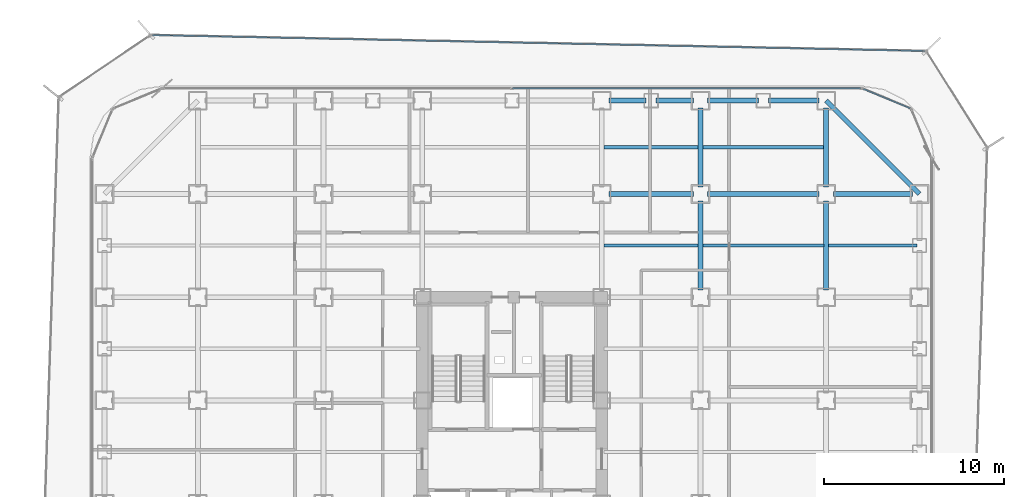
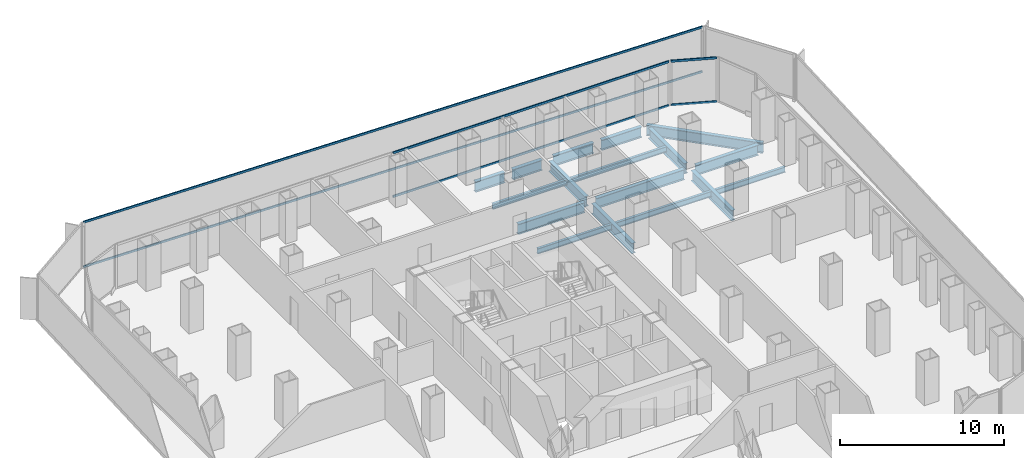
# One storey, part 14 of 21: 17 beams, 6 members, 3 elements without a shape of their own.
"""IFC4 building model written with IfcOpenShell, lengths in metres."""

from ifc_helpers import new_model, si_unit, direction, frame, origin, origin_2d, place, context, subcontext, project, spatial, hollow_rectangle, i_section, extrude, source, transform, mapped, material, layer, layer_set, material_profile, profile_set, type_object, element, aggregate, save


model = new_model("IFC4")

# Units and contexts
model_context = context("Model", 3, precision=1e-05, world=origin(), true_north=direction((0.0, 1.0)))
body_context = subcontext(model_context, "Body", "Model", "MODEL_VIEW")
ifc_project = project(units=[si_unit("LENGTHUNIT", "METRE"), si_unit("AREAUNIT", "SQUARE_METRE"), si_unit("VOLUMEUNIT", "CUBIC_METRE"), si_unit("PLANEANGLEUNIT", "RADIAN"), si_unit("MASSUNIT", "GRAM", prefix="KILO")], contexts=[model_context])

# Site, building, storey
site_placement = place(None, origin())
site = spatial("IfcSite", under=ifc_project, at=site_placement, CompositionType="ELEMENT")
building_placement = place(site_placement, origin())
building = spatial("IfcBuilding", under=site, at=building_placement, Name="Kolveth Station Tower", CompositionType="ELEMENT")
storey_placement = place(building_placement, frame((0.0, 0.0, 29.699951171875)))
storey = spatial("IfcBuildingStorey", under=building, at=storey_placement, Name="L07", CompositionType="ELEMENT", Elevation=29.699951171875)

# Beams
ifc_material_1 = material(Name="Steel S355", Category="steel")
ifc_material_profile_1 = material_profile(ifc_material_1, i_section(OverallWidth=0.26904296875, OverallDepth=0.77490234375, WebThickness=0.01708984375, FlangeThickness=0.0283203125, at=origin_2d()), Name="W760x220")
ifc_profile_set_1 = profile_set([ifc_material_profile_1], Name="Steel S355")
beam_type_1 = type_object("IfcBeamType", Name="Beam_SP1", PredefinedType="SPANDREL", material=ifc_profile_set_1)
shared_shape_1 = source(origin(), body_context, "Body", "SweptSolid", [
    extrude(i_section(OverallWidth=0.26904296875, OverallDepth=0.77490234375, WebThickness=0.01708984375, FlangeThickness=0.0283203125, at=origin_2d()), origin(), (0.0, 0.0, 1.0), 7.353759765625),
])
beam_1_placement = place(storey_placement, frame((46.199951171875, 34.5, -0.66748046875), z_axis=(-0.707106781187, 0.707106781187, 0.0), x_axis=(-0.707106781187, -0.707106781187, 0.0)))
element("IfcBeam", 1, at=beam_1_placement, inside=storey, type_object=beam_type_1, Name="L07 Corner Edge Girder BM-L07-CNR-NE", PredefinedType="SPANDREL", context=body_context, shape_type="MappedRepresentation", body=[
    mapped(shared_shape_1, transform((0.0, 0.0, 0.0), x_axis=(1.0, 0.0, 0.0), y_axis=(0.0, 1.0, 0.0), z_axis=(0.0, 0.0, 1.0), scale=1.0)),
])
shared_shape_2 = source(origin(), body_context, "Body", "SweptSolid", [
    extrude(i_section(OverallWidth=0.26904296875, OverallDepth=0.77490234375, WebThickness=0.01708984375, FlangeThickness=0.0283203125, at=origin_2d()), origin(), (0.0, 0.0, 1.0), 2.820068359375),
])
for number, where, z_axis, x_axis, name in (
    (2, (34.39990234375, 39.699951171875, -0.66748046875), (1.0, 0.0, 0.0), (0.0, 1.0, 0.0), "L07 Perimeter Spandrel BM-L07-PN-9"),
    (3, (37.780029296875, 39.699951171875, -0.66748046875), (1.0, 0.0, 0.0), (0.0, 1.0, 0.0), "L07 Perimeter Spandrel BM-L07-PN-10"),
):
    element("IfcBeam", number, at=place(storey_placement, frame(where, z_axis=z_axis, x_axis=x_axis)), inside=storey, type_object=beam_type_1, Name=name, PredefinedType="SPANDREL", context=body_context, shape_type="MappedRepresentation", body=[
        mapped(shared_shape_2, transform((0.0, 0.0, 0.0), x_axis=(1.0, 0.0, 0.0), y_axis=(0.0, 1.0, 0.0), z_axis=(0.0, 0.0, 1.0), scale=1.0)),
    ])
shared_shape_3 = source(origin(), body_context, "Body", "SweptSolid", [
    extrude(i_section(OverallWidth=0.26904296875, OverallDepth=0.77490234375, WebThickness=0.01708984375, FlangeThickness=0.0283203125, at=origin_2d()), origin(), (0.0, 0.0, 1.0), 2.070068359375),
])
for number, where, z_axis, x_axis, name in (
    (4, (28.89990234375, 39.699951171875, -0.66748046875), (1.0, 0.0, 0.0), (0.0, 1.0, 0.0), "L07 Perimeter Spandrel BM-L07-PN-7"),
    (5, (31.530029296875, 39.699951171875, -0.66748046875), (1.0, 0.0, 0.0), (0.0, 1.0, 0.0), "L07 Perimeter Spandrel BM-L07-PN-8"),
):
    element("IfcBeam", number, at=place(storey_placement, frame(where, z_axis=z_axis, x_axis=x_axis)), inside=storey, type_object=beam_type_1, Name=name, PredefinedType="SPANDREL", context=body_context, shape_type="MappedRepresentation", body=[
        mapped(shared_shape_3, transform((0.0, 0.0, 0.0), x_axis=(1.0, 0.0, 0.0), y_axis=(0.0, 1.0, 0.0), z_axis=(0.0, 0.0, 1.0), scale=1.0)),
    ])
ifc_material_profile_2 = material_profile(ifc_material_1, i_section(OverallWidth=0.26708984375, OverallDepth=0.76611328125, WebThickness=0.014892578125, FlangeThickness=0.023681640625, at=origin_2d()), Name="W760x185")
ifc_profile_set_2 = profile_set([ifc_material_profile_2], Name="Steel S355")
beam_type_2 = type_object("IfcBeamType", Name="Beam_B3", PredefinedType="BEAM", material=ifc_profile_set_2)
shared_shape_4 = source(origin(), body_context, "Body", "SweptSolid", [
    extrude(i_section(OverallWidth=0.26708984375, OverallDepth=0.76611328125, WebThickness=0.014892578125, FlangeThickness=0.023681640625, at=origin_2d()), origin(), (0.0, 0.0, 1.0), 4.400146484375),
])
for number, where, z_axis, x_axis, name in (
    (6, (41.39990234375, 34.5, -0.662841796875), (1.0, 0.0, 0.0), (0.0, 1.0, 0.0), "L07 Primary Girder BM-L07-GY345-7"),
    (7, (34.0, 34.89990234375, -0.662841796875), (0.0, 1.0, 0.0), (-1.0, 0.0, 0.0), "L07 Primary Girder BM-L07-GX340-7"),
    (8, (41.0, 34.89990234375, -0.662841796875), (0.0, 1.0, 0.0), (-1.0, 0.0, 0.0), "L07 Primary Girder BM-L07-GX410-7"),
):
    element("IfcBeam", number, at=place(storey_placement, frame(where, z_axis=z_axis, x_axis=x_axis)), inside=storey, type_object=beam_type_2, Name=name, PredefinedType="BEAM", context=body_context, shape_type="MappedRepresentation", body=[
        mapped(shared_shape_4, transform((0.0, 0.0, 0.0), x_axis=(1.0, 0.0, 0.0), y_axis=(0.0, 1.0, 0.0), z_axis=(0.0, 0.0, 1.0), scale=1.0)),
    ])
shared_shape_5 = source(origin(), body_context, "Body", "SweptSolid", [
    extrude(i_section(OverallWidth=0.26708984375, OverallDepth=0.76611328125, WebThickness=0.014892578125, FlangeThickness=0.023681640625, at=origin_2d()), origin(), (0.0, 0.0, 1.0), 6.2001953125),
])
beam_2_placement = place(storey_placement, frame((34.39990234375, 34.5, -0.662841796875), z_axis=(1.0, 0.0, 0.0), x_axis=(0.0, 1.0, 0.0)))
element("IfcBeam", 9, at=beam_2_placement, inside=storey, type_object=beam_type_2, Name="L07 Primary Girder BM-L07-GY345-6", PredefinedType="BEAM", context=body_context, shape_type="MappedRepresentation", body=[
    mapped(shared_shape_5, transform((0.0, 0.0, 0.0), x_axis=(1.0, 0.0, 0.0), y_axis=(0.0, 1.0, 0.0), z_axis=(0.0, 0.0, 1.0), scale=1.0)),
])
shared_shape_6 = source(origin(), body_context, "Body", "SweptSolid", [
    extrude(i_section(OverallWidth=0.26708984375, OverallDepth=0.76611328125, WebThickness=0.014892578125, FlangeThickness=0.023681640625, at=origin_2d()), origin(), (0.0, 0.0, 1.0), 4.7001953125),
])
beam_3_placement = place(storey_placement, frame((28.89990234375, 34.5, -0.662841796875), z_axis=(1.0, 0.0, 0.0), x_axis=(0.0, 1.0, 0.0)))
element("IfcBeam", 10, at=beam_3_placement, inside=storey, type_object=beam_type_2, Name="L07 Primary Girder BM-L07-GY345-5", PredefinedType="BEAM", context=body_context, shape_type="MappedRepresentation", body=[
    mapped(shared_shape_6, transform((0.0, 0.0, 0.0), x_axis=(1.0, 0.0, 0.0), y_axis=(0.0, 1.0, 0.0), z_axis=(0.0, 0.0, 1.0), scale=1.0)),
])
shared_shape_7 = source(origin(), body_context, "Body", "SweptSolid", [
    extrude(i_section(OverallWidth=0.26708984375, OverallDepth=0.76611328125, WebThickness=0.014892578125, FlangeThickness=0.023681640625, at=origin_2d()), origin(), (0.0, 0.0, 1.0), 4.9501953125),
])
for number, where, z_axis, x_axis, name in (
    (11, (34.0, 29.14990234375, -0.662841796875), (0.0, 1.0, 0.0), (-1.0, 0.0, 0.0), "L07 Primary Girder BM-L07-GX340-6"),
    (12, (41.0, 29.14990234375, -0.662841796875), (0.0, 1.0, 0.0), (-1.0, 0.0, 0.0), "L07 Primary Girder BM-L07-GX410-6"),
):
    element("IfcBeam", number, at=place(storey_placement, frame(where, z_axis=z_axis, x_axis=x_axis)), inside=storey, type_object=beam_type_2, Name=name, PredefinedType="BEAM", context=body_context, shape_type="MappedRepresentation", body=[
        mapped(shared_shape_7, transform((0.0, 0.0, 0.0), x_axis=(1.0, 0.0, 0.0), y_axis=(0.0, 1.0, 0.0), z_axis=(0.0, 0.0, 1.0), scale=1.0)),
    ])
ifc_material_profile_3 = material_profile(ifc_material_1, i_section(OverallWidth=0.177978515625, OverallDepth=0.406982421875, WebThickness=0.0078125, FlangeThickness=0.0126953125, at=origin_2d()), Name="W410x60")
ifc_profile_set_3 = profile_set([ifc_material_profile_3], Name="Steel S355")
beam_type_3 = type_object("IfcBeamType", Name="Beam_J1", PredefinedType="JOIST", material=ifc_profile_set_3)
shared_shape_8 = source(origin(), body_context, "Body", "SweptSolid", [
    extrude(i_section(OverallWidth=0.177978515625, OverallDepth=0.406982421875, WebThickness=0.0078125, FlangeThickness=0.0126953125, at=origin_2d()), origin(), (0.0, 0.0, 1.0), 4.935791015625),
])
beam_4_placement = place(storey_placement, frame((41.131591796875, 31.625, -0.4833984375), z_axis=(1.0, 0.0, 0.0), x_axis=(0.0, 1.0, 0.0)))
element("IfcBeam", 13, at=beam_4_placement, inside=storey, type_object=beam_type_3, Name="L07 Secondary Joist JST-L07-7-6", PredefinedType="JOIST", context=body_context, shape_type="MappedRepresentation", body=[
    mapped(shared_shape_8, transform((0.0, 0.0, 0.0), x_axis=(1.0, 0.0, 0.0), y_axis=(0.0, 1.0, 0.0), z_axis=(0.0, 0.0, 1.0), scale=1.0)),
])
shared_shape_9 = source(origin(), body_context, "Body", "SweptSolid", [
    extrude(i_section(OverallWidth=0.177978515625, OverallDepth=0.406982421875, WebThickness=0.0078125, FlangeThickness=0.0126953125, at=origin_2d()), origin(), (0.0, 0.0, 1.0), 6.73681640625),
])
for number, where, z_axis, x_axis, name in (
    (14, (34.131591796875, 31.625, -0.4833984375), (1.0, 0.0, 0.0), (0.0, 1.0, 0.0), "L07 Secondary Joist JST-L07-6-6"),
    (15, (34.131591796875, 37.10009765625, -0.4833984375), (1.0, 0.0, 0.0), (0.0, 1.0, 0.0), "L07 Secondary Joist JST-L07-6-7"),
):
    element("IfcBeam", number, at=place(storey_placement, frame(where, z_axis=z_axis, x_axis=x_axis)), inside=storey, type_object=beam_type_3, Name=name, PredefinedType="JOIST", context=body_context, shape_type="MappedRepresentation", body=[
        mapped(shared_shape_9, transform((0.0, 0.0, 0.0), x_axis=(1.0, 0.0, 0.0), y_axis=(0.0, 1.0, 0.0), z_axis=(0.0, 0.0, 1.0), scale=1.0)),
    ])
shared_shape_10 = source(origin(), body_context, "Body", "SweptSolid", [
    extrude(i_section(OverallWidth=0.177978515625, OverallDepth=0.406982421875, WebThickness=0.0078125, FlangeThickness=0.0126953125, at=origin_2d()), origin(), (0.0, 0.0, 1.0), 5.23681640625),
])
for number, where, z_axis, x_axis, name in (
    (16, (28.631591796875, 31.625, -0.4833984375), (1.0, 0.0, 0.0), (0.0, 1.0, 0.0), "L07 Secondary Joist JST-L07-5-6"),
    (17, (28.631591796875, 37.10009765625, -0.4833984375), (1.0, 0.0, 0.0), (0.0, 1.0, 0.0), "L07 Secondary Joist JST-L07-5-7"),
):
    element("IfcBeam", number, at=place(storey_placement, frame(where, z_axis=z_axis, x_axis=x_axis)), inside=storey, type_object=beam_type_3, Name=name, PredefinedType="JOIST", context=body_context, shape_type="MappedRepresentation", body=[
        mapped(shared_shape_10, transform((0.0, 0.0, 0.0), x_axis=(1.0, 0.0, 0.0), y_axis=(0.0, 1.0, 0.0), z_axis=(0.0, 0.0, 1.0), scale=1.0)),
    ])

# Curtain wall, members
ifc_material_2 = material(Name="Aluminium 6063-T6 and low-E dark glass", Category="aluminium")
ifc_layer_1 = layer(ifc_material_2, 0.179931640625)
ifc_layer_set_1 = layer_set([ifc_layer_1], Name="Aluminium 6063-T6 and low-E dark glass")
curtain_wall_type_1 = type_object("IfcCurtainWallType", Name="CurtainWall_CW-Z1", PredefinedType="NOTDEFINED", material=ifc_layer_set_1)
curtain_wall_1_placement = place(storey_placement, origin())
curtain_wall_1 = element("IfcCurtainWall", 18, at=curtain_wall_1_placement, inside=storey, type_object=curtain_wall_type_1, Name="L07 Inner Thermal Curtain Wall 5", PredefinedType="NOTDEFINED")
ifc_material_3 = material(Name="Black anodized aluminium 6063-T6", Category="aluminium")
ifc_material_profile_4 = material_profile(ifc_material_3, hollow_rectangle(XDim=0.074951171875, YDim=0.159912109375, WallThickness=0.0048828125, at=origin_2d()), Name="ALU-75x160x5")
ifc_profile_set_4 = profile_set([ifc_material_profile_4], Name="Black anodized aluminium 6063-T6")
member_type_1 = type_object("IfcMemberType", Name="Transom_TR1", PredefinedType="USERDEFINED", material=ifc_profile_set_4)
shared_shape_11 = source(origin(), body_context, "Body", "SweptSolid", [
    extrude(hollow_rectangle(XDim=0.074951171875, YDim=0.159912109375, WallThickness=0.0048828125, at=origin_2d()), origin(), (0.0, 0.0, 1.0), 2.819580078125),
])
member_1_placement = place(storey_placement, frame((45.67431640625, 39.272216796875, 0.03759765625), z_axis=(-0.923869084389, 0.382708655389, 0.0), x_axis=(-0.382708655389, -0.923869084389, 0.0)))
member_1 = element("IfcMember", 19, at=member_1_placement, type_object=member_type_1, Name="CW-Z1 transom 1.1", ObjectType="TRANSOM", PredefinedType="USERDEFINED", context=body_context, shape_type="MappedRepresentation", body=[
    mapped(shared_shape_11, transform((0.0, 0.0, 0.0), x_axis=(1.0, 0.0, 0.0), y_axis=(0.0, 1.0, 0.0), z_axis=(0.0, 0.0, 1.0), scale=1.0)),
])
member_2_placement = place(storey_placement, frame((45.67431640625, 39.272216796875, 3.282470703125), z_axis=(-0.923869084389, 0.382708655389, 0.0), x_axis=(-0.382708655389, -0.923869084389, 0.0)))
member_2 = element("IfcMember", 20, at=member_2_placement, type_object=member_type_1, Name="CW-Z1 transom 1.2", ObjectType="TRANSOM", PredefinedType="USERDEFINED", context=body_context, shape_type="MappedRepresentation", body=[
    mapped(shared_shape_11, transform((0.0, 0.0, 0.0), x_axis=(1.0, 0.0, 0.0), y_axis=(0.0, 1.0, 0.0), z_axis=(0.0, 0.0, 1.0), scale=1.0)),
])
aggregate(curtain_wall_1, [member_1, member_2])

curtain_wall_2_placement = place(storey_placement, origin())
curtain_wall_2 = element("IfcCurtainWall", 21, at=curtain_wall_2_placement, inside=storey, type_object=curtain_wall_type_1, Name="L07 Inner Thermal Curtain Wall 6", PredefinedType="NOTDEFINED")
shared_shape_12 = source(origin(), body_context, "Body", "SweptSolid", [
    extrude(hollow_rectangle(XDim=0.074951171875, YDim=0.159912109375, WallThickness=0.0048828125, at=origin_2d()), origin(), (0.0, 0.0, 1.0), 19.387451171875),
])
member_3_placement = place(storey_placement, frame((42.925048828125, 40.3798828125, 0.03759765625), z_axis=(-1.0, 0.0, 0.0), x_axis=(0.0, -1.0, 0.0)))
member_3 = element("IfcMember", 22, at=member_3_placement, type_object=member_type_1, Name="CW-Z1 transom 1.1", ObjectType="TRANSOM", PredefinedType="USERDEFINED", context=body_context, shape_type="MappedRepresentation", body=[
    mapped(shared_shape_12, transform((0.0, 0.0, 0.0), x_axis=(1.0, 0.0, 0.0), y_axis=(0.0, 1.0, 0.0), z_axis=(0.0, 0.0, 1.0), scale=1.0)),
])
member_4_placement = place(storey_placement, frame((42.925048828125, 40.3798828125, 3.282470703125), z_axis=(-1.0, 0.0, 0.0), x_axis=(0.0, -1.0, 0.0)))
member_4 = element("IfcMember", 23, at=member_4_placement, type_object=member_type_1, Name="CW-Z1 transom 1.2", ObjectType="TRANSOM", PredefinedType="USERDEFINED", context=body_context, shape_type="MappedRepresentation", body=[
    mapped(shared_shape_12, transform((0.0, 0.0, 0.0), x_axis=(1.0, 0.0, 0.0), y_axis=(0.0, 1.0, 0.0), z_axis=(0.0, 0.0, 1.0), scale=1.0)),
])
aggregate(curtain_wall_2, [member_3, member_4])

ifc_material_4 = material(Name="Black anodized aluminium 6063-T6 and dark solar glass", Category="aluminium")
ifc_layer_2 = layer(ifc_material_4, 0.159912109375)
ifc_layer_set_2 = layer_set([ifc_layer_2], Name="Black anodized aluminium 6063-T6 and dark solar glass")
curtain_wall_type_2 = type_object("IfcCurtainWallType", Name="OUTER SKIN CW-OS", PredefinedType="NOTDEFINED", material=ifc_layer_set_2)
curtain_wall_3_placement = place(storey_placement, origin())
curtain_wall_3 = element("IfcCurtainWall", 24, at=curtain_wall_3_placement, inside=storey, type_object=curtain_wall_type_2, Name="L07 Outer Ventilated Skin Curtain Wall 4", PredefinedType="NOTDEFINED")
ifc_material_profile_5 = material_profile(ifc_material_3, hollow_rectangle(XDim=0.080078125, YDim=0.14990234375, WallThickness=0.0048828125, at=origin_2d()), Name="ALU-80x150x5")
ifc_profile_set_5 = profile_set([ifc_material_profile_5], Name="Black anodized aluminium 6063-T6")
member_type_2 = type_object("IfcMemberType", Name="Transom_TR-OS", PredefinedType="USERDEFINED", material=ifc_profile_set_5)
shared_shape_13 = source(origin(), body_context, "Body", "SweptSolid", [
    extrude(hollow_rectangle(XDim=0.080078125, YDim=0.14990234375, WallThickness=0.0048828125, at=origin_2d()), origin(), (0.0, 0.0, 1.0), 43.041015625),
])
member_5_placement = place(storey_placement, frame((46.49560546875, 42.46240234375, 0.0400390625), z_axis=(-0.999787646295, 0.020607336471, 0.0), x_axis=(-0.020607336471, -0.999787646295, 0.0)))
member_5 = element("IfcMember", 25, at=member_5_placement, type_object=member_type_2, Name="CW-OS transom 1.1", ObjectType="TRANSOM", PredefinedType="USERDEFINED", context=body_context, shape_type="MappedRepresentation", body=[
    mapped(shared_shape_13, transform((0.0, 0.0, 0.0), x_axis=(1.0, 0.0, 0.0), y_axis=(0.0, 1.0, 0.0), z_axis=(0.0, 0.0, 1.0), scale=1.0)),
])
member_6_placement = place(storey_placement, frame((46.49560546875, 42.46240234375, 3.35009765625), z_axis=(-0.999787646295, 0.020607336471, 0.0), x_axis=(-0.020607336471, -0.999787646295, 0.0)))
member_6 = element("IfcMember", 26, at=member_6_placement, type_object=member_type_2, Name="CW-OS transom 1.2", ObjectType="TRANSOM", PredefinedType="USERDEFINED", context=body_context, shape_type="MappedRepresentation", body=[
    mapped(shared_shape_13, transform((0.0, 0.0, 0.0), x_axis=(1.0, 0.0, 0.0), y_axis=(0.0, 1.0, 0.0), z_axis=(0.0, 0.0, 1.0), scale=1.0)),
])
aggregate(curtain_wall_3, [member_5, member_6])

save(model, "model.ifc")
